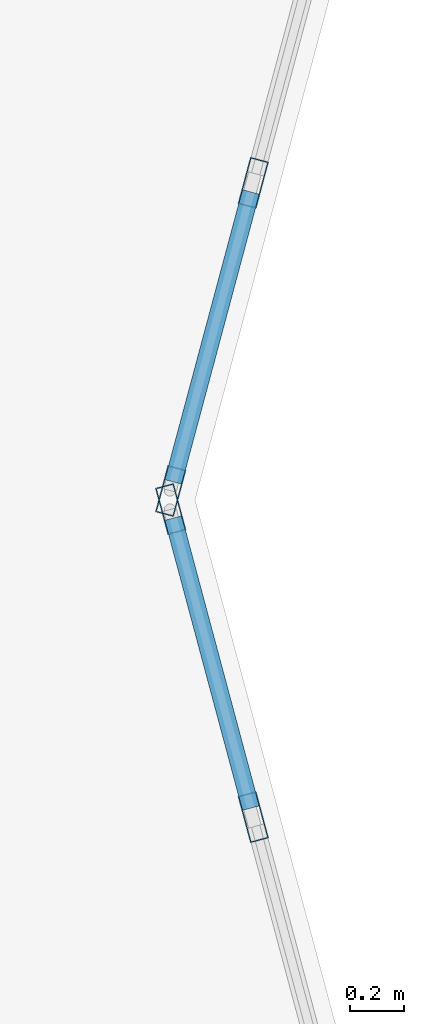
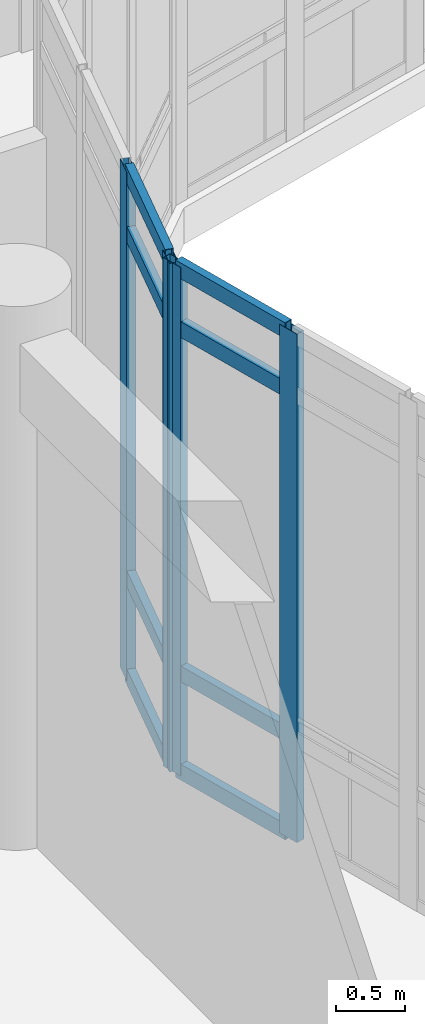
# One storey, part 33 of 138: 12 members, 2 elements without a shape of their own.
"""IFC4 building model written with IfcOpenShell, lengths in metres."""

from ifc_helpers import new_model, si_unit, direction, frame, origin, origin_2d, place, context, subcontext, project, spatial, hollow_rectangle, extrude, material, layer, layer_set, material_profile, profile_set, type_object, element, aggregate, save


model = new_model("IFC4")

# Units and contexts
model_context = context("Model", 3, precision=1e-05, world=origin(), true_north=direction((0.0, 1.0)))
body_context = subcontext(model_context, "Body", "Model", "MODEL_VIEW")
ifc_project = project(units=[si_unit("LENGTHUNIT", "METRE"), si_unit("AREAUNIT", "SQUARE_METRE"), si_unit("VOLUMEUNIT", "CUBIC_METRE"), si_unit("PLANEANGLEUNIT", "RADIAN"), si_unit("MASSUNIT", "GRAM", prefix="KILO")], contexts=[model_context])

# Site, building, storey
site_placement = place(None, origin())
site = spatial("IfcSite", under=ifc_project, at=site_placement, CompositionType="ELEMENT")
building_placement = place(site_placement, origin())
building = spatial("IfcBuilding", under=site, at=building_placement, Name="Bramfleet General Hospital", CompositionType="ELEMENT")
storey_placement = place(building_placement, origin())
storey = spatial("IfcBuildingStorey", under=building, at=storey_placement, Name="L00", CompositionType="ELEMENT", Elevation=0.0)

# Curtain wall, members
ifc_material_1 = material(Name="Anodised aluminium and low-E triple glazing", Category="aluminium")
ifc_layer_1 = layer(ifc_material_1, 0.179931640625, Name="CWT-CW-17")
ifc_layer_set_1 = layer_set([ifc_layer_1], Name="Anodised aluminium and low-E triple glazing")
curtain_wall_type_1 = type_object("IfcCurtainWallType", Name="CWT-CW-17", PredefinedType="USERDEFINED", material=ifc_layer_set_1)
curtain_wall_1_placement = place(storey_placement, origin())
curtain_wall_1 = element("IfcCurtainWall", 1, at=curtain_wall_1_placement, inside=storey, type_object=curtain_wall_type_1, Name="L00 Central Diagnostic Light Court Curtain Wall 1.1", ObjectType="Stick curtain wall", PredefinedType="USERDEFINED")
ifc_material_2 = material(Name="Anodised aluminium EN AW-6060", Category="aluminium")
ifc_material_profile_1 = material_profile(ifc_material_2, hollow_rectangle(XDim=0.070068359375, YDim=0.179931640625, WallThickness=0.00390625, at=origin_2d()), Name="ALU 180x70x4.0")
ifc_profile_set_1 = profile_set([ifc_material_profile_1], Name="Anodised aluminium EN AW-6060")
member_type_1 = type_object("IfcMemberType", Name="CWM-ALU180", PredefinedType="MULLION", material=ifc_profile_set_1)
member_1_placement = place(storey_placement, frame((76.908935546875, 75.566162109375, 0.0), z_axis=(0.0, 0.0, 1.0), x_axis=(0.965940765005, 0.258763286618, 0.0)))
member_1 = element("IfcMember", 2, at=member_1_placement, type_object=member_type_1, Name="CW-17 mullion 1", PredefinedType="MULLION", context=body_context, shape_type="SweptSolid", body=[
    extrude(hollow_rectangle(XDim=0.070068359375, YDim=0.179931640625, WallThickness=0.00390625, at=origin_2d()), origin(), (0.0, 0.0, 1.0), 4.489990234375),
])
member_2_placement = place(storey_placement, frame((77.217041015625, 74.416748046875, 0.0), z_axis=(0.0, 0.0, 1.0), x_axis=(0.965940765005, 0.258763286618, 0.0)))
member_2 = element("IfcMember", 3, at=member_2_placement, type_object=member_type_1, Name="CW-17 mullion 2", PredefinedType="MULLION", context=body_context, shape_type="SweptSolid", body=[
    extrude(hollow_rectangle(XDim=0.070068359375, YDim=0.179931640625, WallThickness=0.00390625, at=origin_2d()), origin(), (0.0, 0.0, 1.0), 4.489990234375),
])

ifc_layer_2 = layer(ifc_material_1, 0.179931640625, Name="CWT-CW-12")
ifc_layer_set_2 = layer_set([ifc_layer_2], Name="Anodised aluminium and low-E triple glazing")
curtain_wall_type_2 = type_object("IfcCurtainWallType", Name="CWT-CW-12", PredefinedType="USERDEFINED", material=ifc_layer_set_2)
curtain_wall_2_placement = place(storey_placement, origin())
curtain_wall_2 = element("IfcCurtainWall", 4, at=curtain_wall_2_placement, inside=storey, type_object=curtain_wall_type_2, Name="L00 Central Diagnostic Light Court Curtain Wall 12.1", ObjectType="Stick curtain wall", PredefinedType="USERDEFINED")
member_3_placement = place(storey_placement, frame((77.217041015625, 76.783447265625, 0.0), z_axis=(0.0, 0.0, 1.0), x_axis=(0.965940765005, -0.258763286618, 0.0)))
member_3 = element("IfcMember", 5, at=member_3_placement, type_object=member_type_1, Name="CW-12 mullion 3", PredefinedType="MULLION", context=body_context, shape_type="SweptSolid", body=[
    extrude(hollow_rectangle(XDim=0.070068359375, YDim=0.179931640625, WallThickness=0.00390625, at=origin_2d()), origin(), (0.0, 0.0, 1.0), 4.489990234375),
])
member_4_placement = place(storey_placement, frame((76.908935546875, 75.6337890625, 0.0), z_axis=(0.0, 0.0, 1.0), x_axis=(0.965940765005, -0.258763286618, 0.0)))
member_4 = element("IfcMember", 6, at=member_4_placement, type_object=member_type_1, Name="CW-12 mullion 4", PredefinedType="MULLION", context=body_context, shape_type="SweptSolid", body=[
    extrude(hollow_rectangle(XDim=0.070068359375, YDim=0.179931640625, WallThickness=0.00390625, at=origin_2d()), origin(), (0.0, 0.0, 1.0), 4.489990234375),
])

# Member
ifc_material_profile_2 = material_profile(ifc_material_2, hollow_rectangle(XDim=0.06494140625, YDim=0.139892578125, WallThickness=0.00390625, at=origin_2d()), Name="ALU 140x65x4.0")
ifc_profile_set_2 = profile_set([ifc_material_profile_2], Name="Anodised aluminium EN AW-6060")
member_type_2 = type_object("IfcMemberType", Name="CWT-ALU140", PredefinedType="USERDEFINED", material=ifc_profile_set_2)
member_5_placement = place(storey_placement, frame((76.918212890625, 75.532470703125, 0.032470703125), z_axis=(0.25870703371, -0.965955832691, 0.0), x_axis=(0.965955832691, 0.25870703371, 0.0)))
member_5 = element("IfcMember", 7, at=member_5_placement, type_object=member_type_2, Name="CW-17 transom 1.1", ObjectType="TRANSOM", PredefinedType="USERDEFINED", context=body_context, shape_type="SweptSolid", body=[
    extrude(hollow_rectangle(XDim=0.06494140625, YDim=0.139892578125, WallThickness=0.00390625, at=origin_2d()), origin(), (0.0, 0.0, 1.0), 1.1201171875),
])

member_6_placement = place(storey_placement, frame((76.918212890625, 75.532470703125, 0.89990234375), z_axis=(0.25870703371, -0.965955832691, 0.0), x_axis=(0.965955832691, 0.25870703371, 0.0)))
member_6 = element("IfcMember", 8, at=member_6_placement, type_object=member_type_2, Name="CW-17 transom 1.2", ObjectType="TRANSOM", PredefinedType="USERDEFINED", context=body_context, shape_type="SweptSolid", body=[
    extrude(hollow_rectangle(XDim=0.06494140625, YDim=0.139892578125, WallThickness=0.00390625, at=origin_2d()), origin(), (0.0, 0.0, 1.0), 1.1201171875),
])

member_7_placement = place(storey_placement, frame((76.918212890625, 75.532470703125, 3.93994140625), z_axis=(0.25870703371, -0.965955832691, 0.0), x_axis=(0.965955832691, 0.25870703371, 0.0)))
member_7 = element("IfcMember", 9, at=member_7_placement, type_object=member_type_2, Name="CW-17 transom 1.3", ObjectType="TRANSOM", PredefinedType="USERDEFINED", context=body_context, shape_type="SweptSolid", body=[
    extrude(hollow_rectangle(XDim=0.06494140625, YDim=0.139892578125, WallThickness=0.00390625, at=origin_2d()), origin(), (0.0, 0.0, 1.0), 1.1201171875),
])

member_8_placement = place(storey_placement, frame((76.918212890625, 75.532470703125, 4.45751953125), z_axis=(0.25870703371, -0.965955832691, 0.0), x_axis=(0.965955832691, 0.25870703371, 0.0)))
member_8 = element("IfcMember", 10, at=member_8_placement, type_object=member_type_2, Name="CW-17 transom 1.4", ObjectType="TRANSOM", PredefinedType="USERDEFINED", context=body_context, shape_type="SweptSolid", body=[
    extrude(hollow_rectangle(XDim=0.06494140625, YDim=0.139892578125, WallThickness=0.00390625, at=origin_2d()), origin(), (0.0, 0.0, 1.0), 1.1201171875),
])

aggregate(curtain_wall_1, [member_1, member_2, member_5, member_6, member_7, member_8])

member_9_placement = place(storey_placement, frame((77.2080078125, 76.74951171875, 0.032470703125), z_axis=(-0.258761510459, -0.965941240814, 0.0), x_axis=(0.965941240814, -0.258761510459, 0.0)))
member_9 = element("IfcMember", 11, at=member_9_placement, type_object=member_type_2, Name="CW-12 transom 3.1", ObjectType="TRANSOM", PredefinedType="USERDEFINED", context=body_context, shape_type="SweptSolid", body=[
    extrude(hollow_rectangle(XDim=0.06494140625, YDim=0.139892578125, WallThickness=0.00390625, at=origin_2d()), origin(), (0.0, 0.0, 1.0), 1.119873046875),
])

member_10_placement = place(storey_placement, frame((77.2080078125, 76.74951171875, 0.89990234375), z_axis=(-0.258761510459, -0.965941240814, 0.0), x_axis=(0.965941240814, -0.258761510459, 0.0)))
member_10 = element("IfcMember", 12, at=member_10_placement, type_object=member_type_2, Name="CW-12 transom 3.2", ObjectType="TRANSOM", PredefinedType="USERDEFINED", context=body_context, shape_type="SweptSolid", body=[
    extrude(hollow_rectangle(XDim=0.06494140625, YDim=0.139892578125, WallThickness=0.00390625, at=origin_2d()), origin(), (0.0, 0.0, 1.0), 1.119873046875),
])

member_11_placement = place(storey_placement, frame((77.2080078125, 76.74951171875, 3.93994140625), z_axis=(-0.258761510459, -0.965941240814, 0.0), x_axis=(0.965941240814, -0.258761510459, 0.0)))
member_11 = element("IfcMember", 13, at=member_11_placement, type_object=member_type_2, Name="CW-12 transom 3.3", ObjectType="TRANSOM", PredefinedType="USERDEFINED", context=body_context, shape_type="SweptSolid", body=[
    extrude(hollow_rectangle(XDim=0.06494140625, YDim=0.139892578125, WallThickness=0.00390625, at=origin_2d()), origin(), (0.0, 0.0, 1.0), 1.119873046875),
])

member_12_placement = place(storey_placement, frame((77.2080078125, 76.74951171875, 4.45751953125), z_axis=(-0.258761510459, -0.965941240814, 0.0), x_axis=(0.965941240814, -0.258761510459, 0.0)))
member_12 = element("IfcMember", 14, at=member_12_placement, type_object=member_type_2, Name="CW-12 transom 3.4", ObjectType="TRANSOM", PredefinedType="USERDEFINED", context=body_context, shape_type="SweptSolid", body=[
    extrude(hollow_rectangle(XDim=0.06494140625, YDim=0.139892578125, WallThickness=0.00390625, at=origin_2d()), origin(), (0.0, 0.0, 1.0), 1.119873046875),
])

aggregate(curtain_wall_2, [member_3, member_4, member_9, member_10, member_11, member_12])

save(model, "model.ifc")
